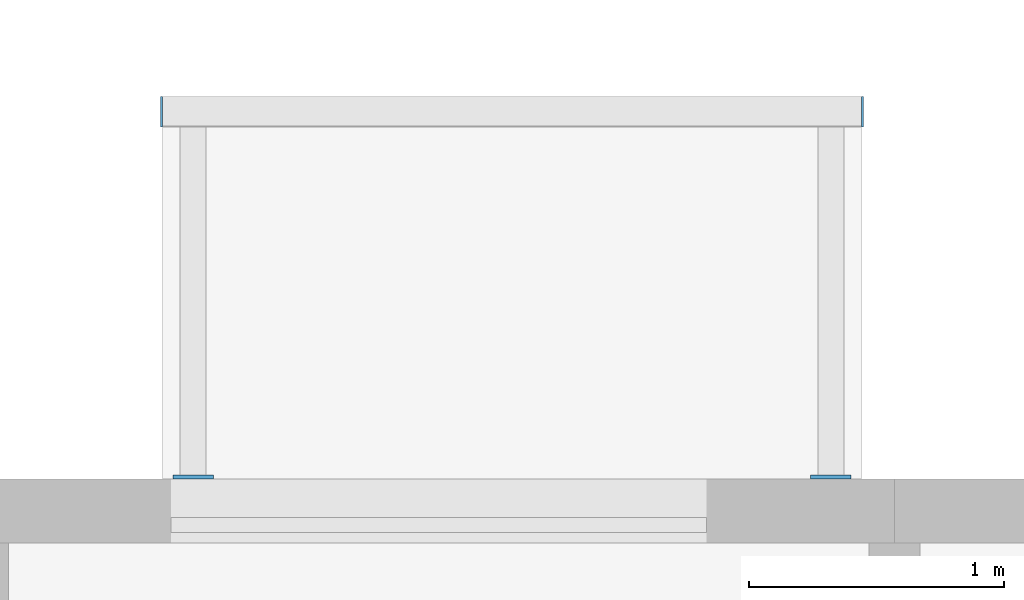
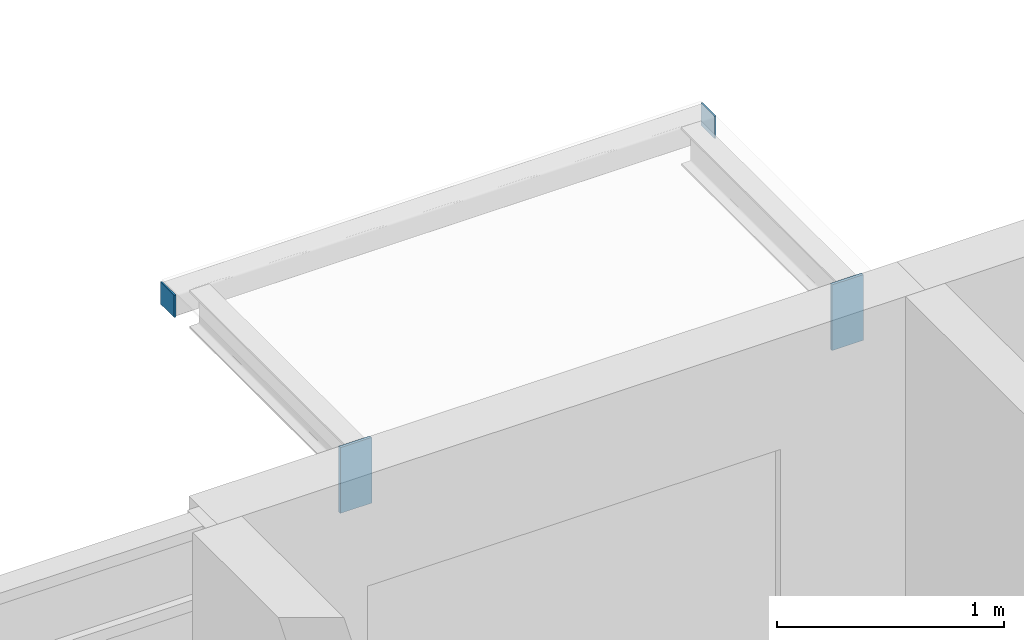
# One storey, part 68 of 94: 4 discrete accessories.
"""IFC4 building model written with IfcOpenShell, lengths in metres."""

from ifc_helpers import new_model, si_unit, direction, frame, origin, origin_2d, place, context, subcontext, project, spatial, rectangle, extrude, material, layer, layer_set, type_object, element, save


model = new_model("IFC4")

# Units and contexts
model_context = context("Model", 3, precision=1e-05, world=origin(), true_north=direction((0.0, 1.0)))
body_context = subcontext(model_context, "Body", "Model", "MODEL_VIEW")
ifc_project = project(units=[si_unit("LENGTHUNIT", "METRE"), si_unit("AREAUNIT", "SQUARE_METRE"), si_unit("VOLUMEUNIT", "CUBIC_METRE"), si_unit("PLANEANGLEUNIT", "RADIAN"), si_unit("MASSUNIT", "GRAM", prefix="KILO")], contexts=[model_context])

# Site, building, storey
site_placement = place(None, origin())
site = spatial("IfcSite", under=ifc_project, at=site_placement, CompositionType="ELEMENT")
building_placement = place(site_placement, origin())
building = spatial("IfcBuilding", under=site, at=building_placement, Name="Ridgestep Commons", CompositionType="ELEMENT")
storey_placement = place(building_placement, frame((0.0, 0.0, 24.0)))
storey = spatial("IfcBuildingStorey", under=building, at=storey_placement, Name="L08", CompositionType="ELEMENT", Elevation=24.0)

# Discrete accessories
ifc_material_1 = material(Name="Weathering steel S355J2W", Category="steel")
ifc_layer_1 = layer(ifc_material_1, 0.014892578125)
ifc_layer_set_1 = layer_set([ifc_layer_1], Name="Tray bracket plate 15")
discrete_accessory_type_1 = type_object("IfcDiscreteAccessoryType", Name="Tray bracket plate 15", PredefinedType="BRACKET", material=ifc_layer_set_1)
for number, where, z_axis, x_axis, name in (
    (1, (35.64990234375, 77.257568359375, 2.63671875), (0.0, 0.0, 1.0), (1.0, 0.0, 0.0), "Tray bracket B2T3-09.1"),
    (2, (38.14990234375, 77.257568359375, 2.63671875), (0.0, 0.0, 1.0), (1.0, 0.0, 0.0), "Tray bracket B2T3-09.2"),
):
    element("IfcDiscreteAccessory", number, at=place(storey_placement, frame(where, z_axis=z_axis, x_axis=x_axis)), inside=storey, type_object=discrete_accessory_type_1, Name=name, PredefinedType="BRACKET", context=body_context, shape_type="SweptSolid", body=[
        extrude(rectangle(XDim=0.159912109375, YDim=0.014892578125, at=origin_2d()), origin(), (0.0, 0.0, 1.0), 0.353271484375),
    ])
ifc_material_2 = material(Name="Weathering steel S355J2W", Category="steel")
ifc_layer_2 = layer(ifc_material_2, 0.008056640625)
ifc_layer_set_2 = layer_set([ifc_layer_2], Name="Tray edge member end plate 120 x 120 x 8")
discrete_accessory_type_2 = type_object("IfcDiscreteAccessoryType", Name="Tray edge member end plate 120 x 120 x 8", PredefinedType="BRACKET", material=ifc_layer_set_2)
for number, where, z_axis, x_axis, name in (
    (3, (35.52587890625, 78.68994140625, 2.869873046875), (0.0, 0.0, 1.0), (1.0, 0.0, 0.0), "Tray edge member end plate B2T3-09 west"),
    (4, (38.27392578125, 78.68994140625, 2.869873046875), (0.0, 0.0, 1.0), (1.0, 0.0, 0.0), "Tray edge member end plate B2T3-09 east"),
):
    element("IfcDiscreteAccessory", number, at=place(storey_placement, frame(where, z_axis=z_axis, x_axis=x_axis)), inside=storey, type_object=discrete_accessory_type_2, Name=name, PredefinedType="BRACKET", context=body_context, shape_type="SweptSolid", body=[
        extrude(rectangle(XDim=0.008056640625, YDim=0.1201171875, at=origin_2d()), origin(), (0.0, 0.0, 1.0), 0.1201171875),
    ])

save(model, "model.ifc")
